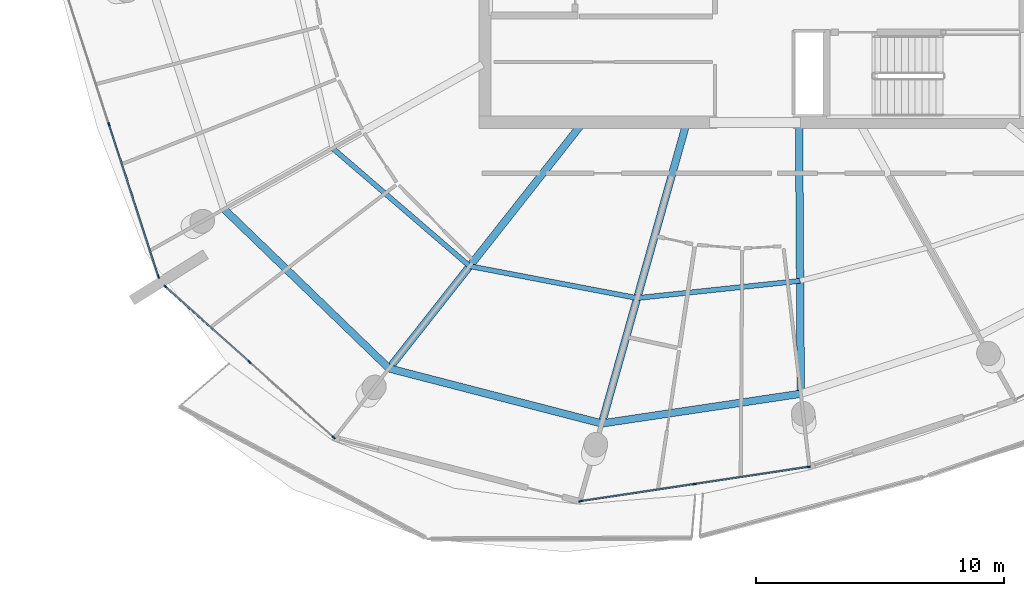
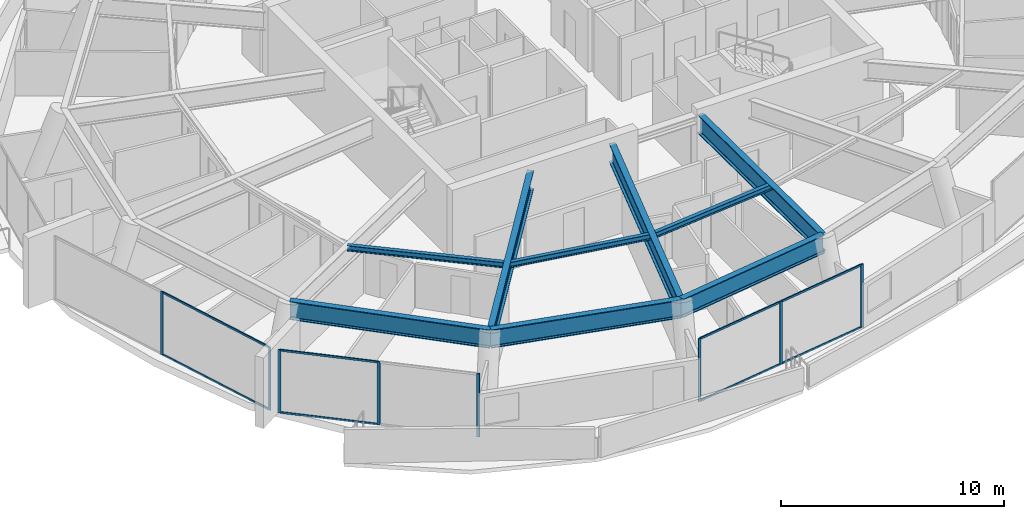
# One storey, part 5 of 24: 16 members, 9 beams, 3 elements without a shape of their own.
"""IFC4 building model written with IfcOpenShell, lengths in metres."""

from ifc_helpers import new_model, si_unit, direction, frame, origin, origin_2d, place, context, subcontext, project, spatial, rectangle, i_section, extrude, material, layer, layer_set, material_profile, profile_set, type_object, element, aggregate, save


model = new_model("IFC4")

# Units and contexts
model_context = context("Model", 3, precision=1e-05, world=origin(), true_north=direction((0.0, 1.0)))
body_context = subcontext(model_context, "Body", "Model", "MODEL_VIEW")
ifc_project = project(units=[si_unit("LENGTHUNIT", "METRE"), si_unit("AREAUNIT", "SQUARE_METRE"), si_unit("VOLUMEUNIT", "CUBIC_METRE"), si_unit("PLANEANGLEUNIT", "RADIAN"), si_unit("MASSUNIT", "GRAM", prefix="KILO")], contexts=[model_context])

# Site, building, storey
site_placement = place(None, origin())
site = spatial("IfcSite", under=ifc_project, at=site_placement, CompositionType="ELEMENT")
building_placement = place(site_placement, origin())
building = spatial("IfcBuilding", under=site, at=building_placement, Name="Kazma Halo Residences", CompositionType="ELEMENT")
storey_placement = place(building_placement, frame((0.0, 0.0, 309.85009765625)))
storey = spatial("IfcBuildingStorey", under=building, at=storey_placement, Name="L78", CompositionType="ELEMENT", Elevation=309.85009765625)

# Beams
ifc_material_1 = material(Name="Steel S355", Category="steel")
ifc_material_profile_1 = material_profile(ifc_material_1, i_section(OverallWidth=0.202880859375, OverallDepth=0.302978515625, WebThickness=0.007568359375, FlangeThickness=0.01318359375, FilletRadius=0.013916015625, at=origin_2d()), Name="W310x60")
ifc_profile_set_1 = profile_set([ifc_material_profile_1], Name="Steel S355")
beam_type_1 = type_object("IfcBeamType", Name="BM-SEC-W310A", PredefinedType="JOIST", material=ifc_profile_set_1)
beam_1_placement = place(storey_placement, frame((31.410400390625, 32.709228515625, 3.29833984375), z_axis=(0.758178898759, -0.652046591492, 0.0), x_axis=(0.652046591492, 0.758178898759, 0.0)))
element("IfcBeam", 1, at=beam_1_placement, inside=storey, type_object=beam_type_1, Name="L78 circumferential floor joist 09", PredefinedType="JOIST", context=body_context, shape_type="SweptSolid", body=[
    extrude(i_section(OverallWidth=0.202880859375, OverallDepth=0.302978515625, WebThickness=0.007568359375, FlangeThickness=0.01318359375, FilletRadius=0.013916015625, at=origin_2d()), origin(), (0.0, 0.0, 1.0), 7.282958984375),
])
beam_2_placement = place(storey_placement, frame((36.93212890625, 27.96044921875, 3.29833984375), z_axis=(0.982319268566, -0.187213393228, 0.0), x_axis=(0.187213393228, 0.982319268566, 0.0)))
element("IfcBeam", 2, at=beam_2_placement, inside=storey, type_object=beam_type_1, Name="L78 circumferential floor joist 10", PredefinedType="JOIST", context=body_context, shape_type="SweptSolid", body=[
    extrude(i_section(OverallWidth=0.202880859375, OverallDepth=0.302978515625, WebThickness=0.007568359375, FlangeThickness=0.01318359375, FilletRadius=0.013916015625, at=origin_2d()), origin(), (0.0, 0.0, 1.0), 6.8671875),
])
beam_3_placement = place(storey_placement, frame((43.677978515625, 26.6748046875, 3.29833984375), z_axis=(0.994453231248, 0.105179707457, 0.0), x_axis=(-0.105179707457, 0.994453231248, 0.0)))
element("IfcBeam", 3, at=beam_3_placement, inside=storey, type_object=beam_type_1, Name="L78 circumferential floor joist 11", PredefinedType="JOIST", context=body_context, shape_type="SweptSolid", body=[
    extrude(i_section(OverallWidth=0.202880859375, OverallDepth=0.302978515625, WebThickness=0.007568359375, FlangeThickness=0.01318359375, FilletRadius=0.013916015625, at=origin_2d()), origin(), (0.0, 0.0, 1.0), 6.59912109375),
])
ifc_material_profile_2 = material_profile(ifc_material_1, i_section(OverallWidth=0.302001953125, OverallDepth=1.01806640625, WebThickness=0.021484375, FlangeThickness=0.049072265625, FilletRadius=0.028076171875, at=origin_2d()), Name="W1000x443")
ifc_profile_set_2 = profile_set([ifc_material_profile_2], Name="Steel S355")
beam_type_2 = type_object("IfcBeamType", Name="BM-TRANS-W1000A", PredefinedType="BEAM", material=ifc_profile_set_2)
beam_4_placement = place(storey_placement, frame((41.41748046875, 33.64990234375, 2.94091796875), z_axis=(-0.619111191023, -0.785303338303, 0.0), x_axis=(0.785303338303, -0.619111191023, 0.0)))
element("IfcBeam", 4, at=beam_4_placement, inside=storey, type_object=beam_type_2, Name="L78 podium radial transfer girder 10", PredefinedType="BEAM", context=body_context, shape_type="SweptSolid", body=[
    extrude(i_section(OverallWidth=0.302001953125, OverallDepth=1.01806640625, WebThickness=0.021484375, FlangeThickness=0.049072265625, FilletRadius=0.028076171875, at=origin_2d()), origin(), (0.0, 0.0, 1.0), 12.4912109375),
])
beam_5_placement = place(storey_placement, frame((45.64501953125, 33.64990234375, 2.94091796875), z_axis=(-0.271426752139, -0.962459099507, 0.0), x_axis=(0.962459099507, -0.271426752139, 0.0)))
element("IfcBeam", 5, at=beam_5_placement, inside=storey, type_object=beam_type_2, Name="L78 podium radial transfer girder 11", PredefinedType="BEAM", context=body_context, shape_type="SweptSolid", body=[
    extrude(i_section(OverallWidth=0.302001953125, OverallDepth=1.01806640625, WebThickness=0.021484375, FlangeThickness=0.049072265625, FilletRadius=0.028076171875, at=origin_2d()), origin(), (0.0, 0.0, 1.0), 12.495361328125),
])
beam_6_placement = place(storey_placement, frame((50.199951171875, 33.64990234375, 2.94091796875), z_axis=(0.006470240609, -0.999979067774, 0.0), x_axis=(0.999979067774, 0.006470240609, 0.0)))
element("IfcBeam", 6, at=beam_6_placement, inside=storey, type_object=beam_type_2, Name="L78 podium radial transfer girder 12", PredefinedType="BEAM", context=body_context, shape_type="SweptSolid", body=[
    extrude(i_section(OverallWidth=0.302001953125, OverallDepth=1.01806640625, WebThickness=0.021484375, FlangeThickness=0.049072265625, FilletRadius=0.028076171875, at=origin_2d()), origin(), (0.0, 0.0, 1.0), 10.829345703125),
])
ifc_material_profile_3 = material_profile(ifc_material_1, i_section(OverallWidth=0.300048828125, OverallDepth=1.0, WebThickness=0.01904296875, FlangeThickness=0.0400390625, FilletRadius=0.02587890625, at=origin_2d()), Name="W1000x371")
ifc_profile_set_3 = profile_set([ifc_material_profile_3], Name="Steel S355")
beam_type_3 = type_object("IfcBeamType", Name="BM-TRANS-W1000B", PredefinedType="BEAM", material=ifc_profile_set_3)
beam_7_placement = place(storey_placement, frame((27.03662109375, 30.260009765625, 2.949951171875), z_axis=(0.71933681628, -0.694661460529, 0.0), x_axis=(0.694661460529, 0.71933681628, 0.0)))
element("IfcBeam", 7, at=beam_7_placement, inside=storey, type_object=beam_type_3, Name="L78 perimeter ring beam 09", PredefinedType="BEAM", context=body_context, shape_type="SweptSolid", body=[
    extrude(i_section(OverallWidth=0.300048828125, OverallDepth=1.0, WebThickness=0.01904296875, FlangeThickness=0.0400390625, FilletRadius=0.02587890625, at=origin_2d()), origin(), (0.0, 0.0, 1.0), 9.2412109375),
])
beam_8_placement = place(storey_placement, frame((33.68408203125, 23.840576171875, 2.949951171875), z_axis=(0.968124082793, -0.250471076805, 0.0), x_axis=(0.250471076805, 0.968124082793, 0.0)))
element("IfcBeam", 8, at=beam_8_placement, inside=storey, type_object=beam_type_3, Name="L78 perimeter ring beam 10", PredefinedType="BEAM", context=body_context, shape_type="SweptSolid", body=[
    extrude(i_section(OverallWidth=0.300048828125, OverallDepth=1.0, WebThickness=0.01904296875, FlangeThickness=0.0400390625, FilletRadius=0.02587890625, at=origin_2d()), origin(), (0.0, 0.0, 1.0), 8.8515625),
])
beam_9_placement = place(storey_placement, frame((42.25341796875, 21.62353515625, 2.949951171875), z_axis=(0.989030710595, 0.147710031817, 0.0), x_axis=(-0.147710031817, 0.989030710595, 0.0)))
element("IfcBeam", 9, at=beam_9_placement, inside=storey, type_object=beam_type_3, Name="L78 perimeter ring beam 11", PredefinedType="BEAM", context=body_context, shape_type="SweptSolid", body=[
    extrude(i_section(OverallWidth=0.300048828125, OverallDepth=1.0, WebThickness=0.01904296875, FlangeThickness=0.0400390625, FilletRadius=0.02587890625, at=origin_2d()), origin(), (0.0, 0.0, 1.0), 8.10546875),
])

# Curtain wall, members
ifc_material_2 = material(Name="Aluminium AW-6063 T6 and Triple-Silver Low-E Glass", Category="aluminium")
ifc_layer = layer(ifc_material_2, 0.139892578125)
ifc_layer_set = layer_set([ifc_layer], Name="Aluminium AW-6063 T6 and Triple-Silver Low-E Glass")
curtain_wall_type = type_object("IfcCurtainWallType", Name="CW-SYS-5", PredefinedType="NOTDEFINED", material=ifc_layer_set)
curtain_wall_1_placement = place(storey_placement, origin())
curtain_wall_1 = element("IfcCurtainWall", 10, at=curtain_wall_1_placement, inside=storey, type_object=curtain_wall_type, Name="L78 unitised curtain wall B08", PredefinedType="NOTDEFINED")
ifc_material_3 = material(Name="Aluminium AW-6063 T6", Category="aluminium")
ifc_material_profile_4 = material_profile(ifc_material_3, rectangle(XDim=0.06005859375, YDim=0.139892578125, at=origin_2d()), Name="CWM-60x140")
ifc_profile_set_4 = profile_set([ifc_material_profile_4], Name="Aluminium AW-6063 T6")
member_type_1 = type_object("IfcMemberType", Name="CW-SYS-5-MUL", PredefinedType="MULLION", material=ifc_profile_set_4)
member_1_placement = place(storey_placement, frame((22.39990234375, 33.681884765625, 0.0), z_axis=(0.0, 0.0, 1.0), x_axis=(0.951056835679, 0.309016011411, 0.0)))
member_1 = element("IfcMember", 11, at=member_1_placement, type_object=member_type_1, Name="CWS-5 mullion 2", PredefinedType="MULLION", context=body_context, shape_type="SweptSolid", body=[
    extrude(rectangle(XDim=0.06005859375, YDim=0.139892578125, at=origin_2d()), origin(), (0.0, 0.0, 1.0), 3.449951171875),
])
member_2_placement = place(storey_placement, frame((24.395263671875, 27.540771484375, 0.0), z_axis=(0.0, 0.0, 1.0), x_axis=(0.951056835679, 0.309016011411, 0.0)))
member_2 = element("IfcMember", 12, at=member_2_placement, type_object=member_type_1, Name="CWS-5 mullion 3", PredefinedType="MULLION", context=body_context, shape_type="SweptSolid", body=[
    extrude(rectangle(XDim=0.06005859375, YDim=0.139892578125, at=origin_2d()), origin(), (0.0, 0.0, 1.0), 3.449951171875),
])

curtain_wall_2_placement = place(storey_placement, origin())
curtain_wall_2 = element("IfcCurtainWall", 13, at=curtain_wall_2_placement, inside=storey, type_object=curtain_wall_type, Name="L78 unitised curtain wall B09", PredefinedType="NOTDEFINED")
member_3_placement = place(storey_placement, frame((24.677001953125, 27.135986328125, 0.0), z_axis=(0.0, 0.0, 1.0), x_axis=(0.667775956013, 0.744362326136, 0.0)))
member_3 = element("IfcMember", 14, at=member_3_placement, type_object=member_type_1, Name="CWS-5 mullion 1", PredefinedType="MULLION", context=body_context, shape_type="SweptSolid", body=[
    extrude(rectangle(XDim=0.06005859375, YDim=0.139892578125, at=origin_2d()), origin(), (0.0, 0.0, 1.0), 3.449951171875),
])
member_4_placement = place(storey_placement, frame((28.064697265625, 24.096923828125, 0.0), z_axis=(0.0, 0.0, 1.0), x_axis=(0.667775956013, 0.744362326136, 0.0)))
member_4 = element("IfcMember", 15, at=member_4_placement, type_object=member_type_1, Name="CWS-5 mullion 2", PredefinedType="MULLION", context=body_context, shape_type="SweptSolid", body=[
    extrude(rectangle(XDim=0.06005859375, YDim=0.139892578125, at=origin_2d()), origin(), (0.0, 0.0, 1.0), 3.449951171875),
])
member_5_placement = place(storey_placement, frame((31.4521484375, 21.0576171875, 0.0), z_axis=(0.0, 0.0, 1.0), x_axis=(0.667775956013, 0.744362326136, 0.0)))
member_5 = element("IfcMember", 16, at=member_5_placement, type_object=member_type_1, Name="CWS-5 mullion 3", PredefinedType="MULLION", context=body_context, shape_type="SweptSolid", body=[
    extrude(rectangle(XDim=0.06005859375, YDim=0.139892578125, at=origin_2d()), origin(), (0.0, 0.0, 1.0), 3.449951171875),
])

curtain_wall_3_placement = place(storey_placement, origin())
curtain_wall_3 = element("IfcCurtainWall", 17, at=curtain_wall_3_placement, inside=storey, type_object=curtain_wall_type, Name="L78 unitised curtain wall B11", PredefinedType="NOTDEFINED")
member_6_placement = place(storey_placement, frame((41.398681640625, 18.49267578125, 0.0), z_axis=(0.0, 0.0, 1.0), x_axis=(-0.148804170229, 0.9888666841, 0.0)))
member_6 = element("IfcMember", 18, at=member_6_placement, type_object=member_type_1, Name="CWS-5 mullion 1", PredefinedType="MULLION", context=body_context, shape_type="SweptSolid", body=[
    extrude(rectangle(XDim=0.06005859375, YDim=0.139892578125, at=origin_2d()), origin(), (0.0, 0.0, 1.0), 3.449951171875),
])
member_7_placement = place(storey_placement, frame((45.99365234375, 19.18408203125, 0.0), z_axis=(0.0, 0.0, 1.0), x_axis=(-0.148804170229, 0.9888666841, 0.0)))
member_7 = element("IfcMember", 19, at=member_7_placement, type_object=member_type_1, Name="CWS-5 mullion 2", PredefinedType="MULLION", context=body_context, shape_type="SweptSolid", body=[
    extrude(rectangle(XDim=0.06005859375, YDim=0.139892578125, at=origin_2d()), origin(), (0.0, 0.0, 1.0), 3.449951171875),
])
member_8_placement = place(storey_placement, frame((50.58837890625, 19.875732421875, 0.0), z_axis=(0.0, 0.0, 1.0), x_axis=(-0.148804170229, 0.9888666841, 0.0)))
member_8 = element("IfcMember", 20, at=member_8_placement, type_object=member_type_1, Name="CWS-5 mullion 3", PredefinedType="MULLION", context=body_context, shape_type="SweptSolid", body=[
    extrude(rectangle(XDim=0.06005859375, YDim=0.139892578125, at=origin_2d()), origin(), (0.0, 0.0, 1.0), 3.449951171875),
])

# Member
ifc_material_profile_5 = material_profile(ifc_material_3, rectangle(XDim=0.06005859375, YDim=0.10498046875, at=origin_2d()), Name="CWT-60x105")
ifc_profile_set_5 = profile_set([ifc_material_profile_5], Name="Aluminium AW-6063 T6")
member_type_2 = type_object("IfcMemberType", Name="CW-SYS-5-TRN", PredefinedType="USERDEFINED", material=ifc_profile_set_5)
member_9_placement = place(storey_placement, frame((22.4091796875, 33.653564453125, 0.02978515625), z_axis=(0.309005818912, -0.951060147351, 0.0), x_axis=(0.951060147351, 0.309005818912, 0.0)))
member_9 = element("IfcMember", 21, at=member_9_placement, type_object=member_type_2, Name="CWS-5 transom 2.1", ObjectType="TRANSOM", PredefinedType="USERDEFINED", context=body_context, shape_type="SweptSolid", body=[
    extrude(rectangle(XDim=0.06005859375, YDim=0.10498046875, at=origin_2d()), origin(), (0.0, 0.0, 1.0), 6.397216796875),
])

member_10_placement = place(storey_placement, frame((22.4091796875, 33.653564453125, 3.419921875), z_axis=(0.309005818912, -0.951060147351, 0.0), x_axis=(0.951060147351, 0.309005818912, 0.0)))
member_10 = element("IfcMember", 22, at=member_10_placement, type_object=member_type_2, Name="CWS-5 transom 2.2", ObjectType="TRANSOM", PredefinedType="USERDEFINED", context=body_context, shape_type="SweptSolid", body=[
    extrude(rectangle(XDim=0.06005859375, YDim=0.10498046875, at=origin_2d()), origin(), (0.0, 0.0, 1.0), 6.397216796875),
])

aggregate(curtain_wall_1, [member_1, member_2, member_9, member_10])

member_11_placement = place(storey_placement, frame((24.69921875, 27.115966796875, 0.02978515625), z_axis=(0.744366295692, -0.667771531168, 0.0), x_axis=(0.667771531168, 0.744366295692, 0.0)))
member_11 = element("IfcMember", 23, at=member_11_placement, type_object=member_type_2, Name="CWS-5 transom 1.1", ObjectType="TRANSOM", PredefinedType="USERDEFINED", context=body_context, shape_type="SweptSolid", body=[
    extrude(rectangle(XDim=0.06005859375, YDim=0.10498046875, at=origin_2d()), origin(), (0.0, 0.0, 1.0), 4.4912109375),
])

member_12_placement = place(storey_placement, frame((24.69921875, 27.115966796875, 3.419921875), z_axis=(0.744366295692, -0.667771531168, 0.0), x_axis=(0.667771531168, 0.744366295692, 0.0)))
member_12 = element("IfcMember", 24, at=member_12_placement, type_object=member_type_2, Name="CWS-5 transom 1.2", ObjectType="TRANSOM", PredefinedType="USERDEFINED", context=body_context, shape_type="SweptSolid", body=[
    extrude(rectangle(XDim=0.06005859375, YDim=0.10498046875, at=origin_2d()), origin(), (0.0, 0.0, 1.0), 4.4912109375),
])

aggregate(curtain_wall_2, [member_3, member_4, member_5, member_11, member_12])

member_13_placement = place(storey_placement, frame((41.42822265625, 18.497314453125, 0.02978515625), z_axis=(0.988871447751, 0.148772510306, 0.0), x_axis=(-0.148772510306, 0.988871447751, 0.0)))
member_13 = element("IfcMember", 25, at=member_13_placement, type_object=member_type_2, Name="CWS-5 transom 1.1", ObjectType="TRANSOM", PredefinedType="USERDEFINED", context=body_context, shape_type="SweptSolid", body=[
    extrude(rectangle(XDim=0.06005859375, YDim=0.10498046875, at=origin_2d()), origin(), (0.0, 0.0, 1.0), 4.586669921875),
])

member_14_placement = place(storey_placement, frame((41.42822265625, 18.497314453125, 3.419921875), z_axis=(0.988871447751, 0.148772510306, 0.0), x_axis=(-0.148772510306, 0.988871447751, 0.0)))
member_14 = element("IfcMember", 26, at=member_14_placement, type_object=member_type_2, Name="CWS-5 transom 1.2", ObjectType="TRANSOM", PredefinedType="USERDEFINED", context=body_context, shape_type="SweptSolid", body=[
    extrude(rectangle(XDim=0.06005859375, YDim=0.10498046875, at=origin_2d()), origin(), (0.0, 0.0, 1.0), 4.586669921875),
])

member_15_placement = place(storey_placement, frame((46.023193359375, 19.188720703125, 0.02978515625), z_axis=(0.988871447751, 0.148772510306, 0.0), x_axis=(-0.148772510306, 0.988871447751, 0.0)))
member_15 = element("IfcMember", 27, at=member_15_placement, type_object=member_type_2, Name="CWS-5 transom 2.1", ObjectType="TRANSOM", PredefinedType="USERDEFINED", context=body_context, shape_type="SweptSolid", body=[
    extrude(rectangle(XDim=0.06005859375, YDim=0.10498046875, at=origin_2d()), origin(), (0.0, 0.0, 1.0), 4.586669921875),
])

member_16_placement = place(storey_placement, frame((46.023193359375, 19.188720703125, 3.419921875), z_axis=(0.988871447751, 0.148772510306, 0.0), x_axis=(-0.148772510306, 0.988871447751, 0.0)))
member_16 = element("IfcMember", 28, at=member_16_placement, type_object=member_type_2, Name="CWS-5 transom 2.2", ObjectType="TRANSOM", PredefinedType="USERDEFINED", context=body_context, shape_type="SweptSolid", body=[
    extrude(rectangle(XDim=0.06005859375, YDim=0.10498046875, at=origin_2d()), origin(), (0.0, 0.0, 1.0), 4.586669921875),
])

aggregate(curtain_wall_3, [member_6, member_7, member_8, member_13, member_14, member_15, member_16])

save(model, "model.ifc")
